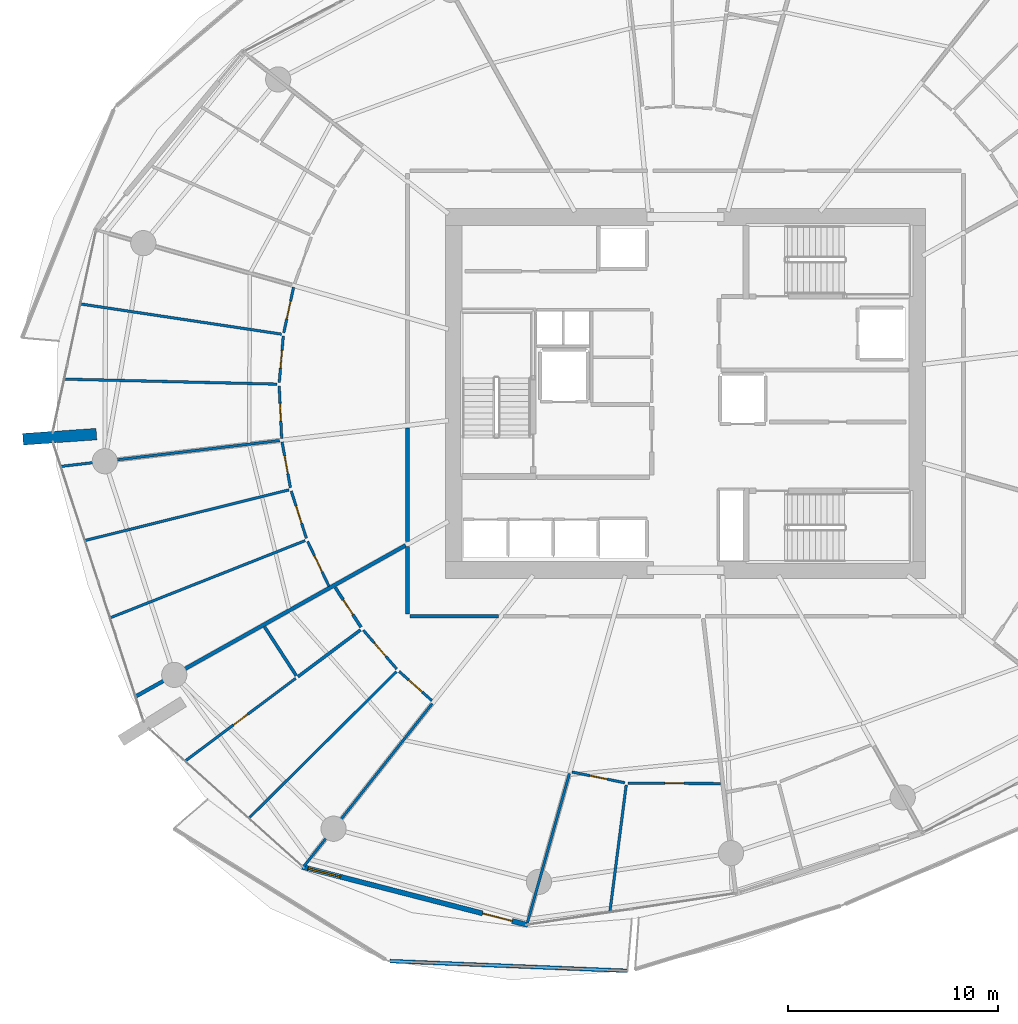
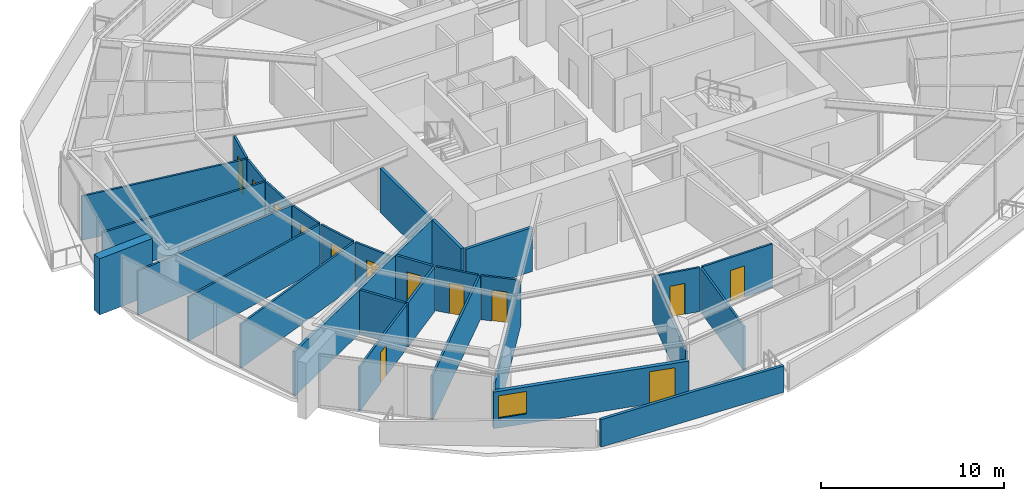
# One storey, part 11 of 23: 30 walls, 13 doors, 1 window, 14 openings.
"""IFC4 building model written with IfcOpenShell, lengths in metres."""

from ifc_helpers import new_model, si_unit, direction, frame, frame_2d, origin, place, context, subcontext, project, spatial, polyline, rectangle, outline, extrude, material, layer, layer_set, type_object, element, fill, save


model = new_model("IFC4")

# Units and contexts
model_context = context("Model", 3, precision=1e-05, world=origin(), true_north=direction((0.0, 1.0)))
body_context = subcontext(model_context, "Body", "Model", "MODEL_VIEW")
ifc_project = project(units=[si_unit("LENGTHUNIT", "METRE"), si_unit("AREAUNIT", "SQUARE_METRE"), si_unit("VOLUMEUNIT", "CUBIC_METRE"), si_unit("PLANEANGLEUNIT", "RADIAN"), si_unit("MASSUNIT", "GRAM", prefix="KILO")], contexts=[model_context])

# Site, building, storey
site_placement = place(None, origin())
site = spatial("IfcSite", under=ifc_project, at=site_placement, CompositionType="ELEMENT")
building_placement = place(site_placement, origin())
building = spatial("IfcBuilding", under=site, at=building_placement, Name="Kazma Halo Residences", CompositionType="ELEMENT")
storey_placement = place(building_placement, frame((0.0, 0.0, 82.64990234375)))
storey = spatial("IfcBuildingStorey", under=building, at=storey_placement, Name="L20", CompositionType="ELEMENT", Elevation=82.64990234375)

# Walls
ifc_material_1 = material(Name="White Concrete C50/60 Balustrade", Category="concrete")
ifc_layer_1 = layer(ifc_material_1, 0.179931640625)
ifc_layer_set_1 = layer_set([ifc_layer_1], Name="White Concrete C50/60 Balustrade")
wall_type_1 = type_object("IfcWallType", Name="WL-BAL-WAVE-180", PredefinedType="PARAPET", material=ifc_layer_set_1)
wall_1_placement = place(storey_placement, frame((34.362548828125, 14.994873046875, 0.0), z_axis=(0.0, 0.0, 1.0), x_axis=(0.999163903461, -0.040883909074, 0.0)))
element("IfcWall", 1, at=wall_1_placement, inside=storey, type_object=wall_type_1, Name="L20 white wave balustrade wall SW.2", PredefinedType="PARAPET", context=body_context, shape_type="SweptSolid", body=[
    extrude(outline(polyline([(0.0, 0.0), (11.316162109375, 0.0), (11.31640625, 1.756103515625), (5.658203125, 1.85302734375), (0.0, 1.83203125), (0.0, 0.0)])), frame((0.0, 0.08984375, 0.0), z_axis=(0.0, -1.0, 0.0), x_axis=(1.0, 0.0, 0.0)), (0.0, 0.0, 1.0), 0.179931640625),
])
ifc_material_2 = material(Name="Pale Concrete C60/75", Category="concrete")
ifc_layer_2 = layer(ifc_material_2, 0.550048828125)
ifc_layer_set_2 = layer_set([ifc_layer_2], Name="Pale Concrete C60/75")
wall_type_2 = type_object("IfcWallType", Name="WL-BLADE-550", PredefinedType="SOLIDWALL", material=ifc_layer_set_2)
wall_2_placement = place(storey_placement, frame((20.393798828125, 40.069580078125, 0.0), z_axis=(0.0, 0.0, 1.0), x_axis=(-0.997564163539, -0.069754853754, 0.0)))
element("IfcWall", 2, at=wall_2_placement, inside=storey, type_object=wall_type_2, Name="L20 pale concrete structural blade fin wall BW-02", PredefinedType="SOLIDWALL", context=body_context, shape_type="SweptSolid", body=[
    extrude(rectangle(XDim=3.5, YDim=0.550048828125, at=frame_2d((1.75, 0.0))), origin(), (0.0, 0.0, 1.0), 3.75),
])
ifc_material_3 = material(Name="Acoustic Twin-Stud Gypsum")
ifc_layer_3 = layer(ifc_material_3, 0.179931640625)
ifc_layer_set_3 = layer_set([ifc_layer_3], Name="Acoustic Twin-Stud Gypsum")
wall_type_3 = type_object("IfcWallType", Name="WL-DEM-180", PredefinedType="PARTITIONING", material=ifc_layer_set_3)
wall_3_placement = place(storey_placement, frame((35.10400390625, 34.778076171875, 0.0), z_axis=(0.0, 0.0, 1.0), x_axis=(-0.872490437896, -0.488631185845, 0.0)))
element("IfcWall", 3, at=wall_3_placement, inside=storey, type_object=wall_type_3, Name="L20 apartment demising radial wall 08", PredefinedType="PARTITIONING", context=body_context, shape_type="SweptSolid", body=[
    extrude(rectangle(XDim=14.698974609375, YDim=0.179931640625, at=frame_2d((7.349609375, 0.0))), origin(), (0.0, 0.0, 1.0), 2.940185546875),
])
wall_4_placement = place(storey_placement, frame((35.199951171875, 40.364990234375, 0.0), z_axis=(0.0, 0.0, 1.0), x_axis=(0.0, -1.0, 0.0)))
element("IfcWall", 4, at=wall_4_placement, inside=storey, type_object=wall_type_3, Name="L20 Apartment 1 inner wall 7", PredefinedType="PARTITIONING", context=body_context, shape_type="SweptSolid", body=[
    extrude(rectangle(XDim=5.413330078125, YDim=0.179931640625, at=frame_2d((2.70654296875, 0.0))), origin(), (0.0, 0.0, 1.0), 2.940185546875),
])
wall_5_placement = place(storey_placement, frame((35.199951171875, 34.711669921875, 0.0), z_axis=(0.0, 0.0, 1.0), x_axis=(0.0, -1.0, 0.0)))
element("IfcWall", 5, at=wall_5_placement, inside=storey, type_object=wall_type_3, Name="L20 Apartment 2 inner wall 8", PredefinedType="PARTITIONING", context=body_context, shape_type="SweptSolid", body=[
    extrude(rectangle(XDim=3.191650390625, YDim=0.179931640625, at=frame_2d((1.595703125, 0.0))), origin(), (0.0, 0.0, 1.0), 2.940185546875),
])
wall_6_placement = place(storey_placement, frame((35.320068359375, 31.39990234375, 0.0), z_axis=(0.0, 0.0, 1.0), x_axis=(1.0, 0.0, 0.0)))
element("IfcWall", 6, at=wall_6_placement, inside=storey, type_object=wall_type_3, Name="L20 Apartment 2 inner wall 8", PredefinedType="PARTITIONING", context=body_context, shape_type="SweptSolid", body=[
    extrude(rectangle(XDim=4.20361328125, YDim=0.179931640625, at=frame_2d((2.101806640625, 0.0))), origin(), (0.0, 0.0, 1.0), 2.940185546875),
])

# Wall, openings, door, window
ifc_material_4 = material(Name="Insulated Pale-Metal Composite Wall")
ifc_layer_4 = layer(ifc_material_4, 0.239990234375)
ifc_layer_set_4 = layer_set([ifc_layer_4], Name="Insulated Pale-Metal Composite Wall")
wall_type_4 = type_object("IfcWallType", Name="WL-EXT-HOST-240", PredefinedType="SOLIDWALL", material=ifc_layer_set_4)
wall_7_placement = place(storey_placement, frame((30.18603515625, 19.47705078125, 0.0), z_axis=(0.0, 0.0, 1.0), x_axis=(0.968356180858, -0.249572248045, 0.0)))
wall_7 = element("IfcWall", 7, at=wall_7_placement, inside=storey, type_object=wall_type_4, Name="L20 exterior terrace-access wall B10", PredefinedType="SOLIDWALL", context=body_context, shape_type="SweptSolid", body=[
    extrude(rectangle(XDim=11.08447265625, YDim=0.239990234375, at=frame_2d((5.542236328125, 0.0))), origin(), (0.0, 0.0, 1.0), 2.4501953125),
])
opening_1_placement = place(wall_7_placement, frame((8.864501953125, 0.0, 0.0)))
opening_1 = element("IfcOpeningElement", 8, at=opening_1_placement, cuts=wall_7, Name="Opening DTR-1600", PredefinedType="OPENING", context=body_context, shape_type="SweptSolid", body=[
    extrude(rectangle(XDim=1.449951171875, YDim=2.14990234375, at=frame_2d((0.72509765625, 1.074951171875))), frame((0.0, 0.1298828125, 0.0), z_axis=(0.0, -1.0, 0.0), x_axis=(1.0, 0.0, 0.0)), (0.0, 0.0, 1.0), 0.260009765625),
])
opening_2_placement = place(wall_7_placement, frame((0.280029296875, 0.0, 0.64990234375)))
opening_2 = element("IfcOpeningElement", 9, at=opening_2_placement, cuts=wall_7, Name="Opening W-1800", PredefinedType="OPENING", context=body_context, shape_type="SweptSolid", body=[
    extrude(rectangle(XDim=1.60009765625, YDim=1.5, at=frame_2d((0.800048828125, 0.75))), frame((0.0, 0.1298828125, 0.0), z_axis=(0.0, -1.0, 0.0), x_axis=(1.0, 0.0, 0.0)), (0.0, 0.0, 1.0), 0.260009765625),
])
ifc_material_5 = material(Name="Aluminium AW-6063 T6 Double-Glazed Terrace Door", Category="aluminium")
door_type_1 = type_object("IfcDoorType", Name="DR-EXT-TERR-1600", OperationType="NOTDEFINED", PredefinedType="DOOR", material=ifc_material_5)
door_1_placement = place(opening_1_placement, origin())
door_1 = element("IfcDoor", 10, at=door_1_placement, inside=storey, type_object=door_type_1, Name="L20 B10 balcony terrace door", OperationType="DOUBLE_DOOR_SLIDING", OverallHeight=2.14990234375, OverallWidth=1.449951171875, PredefinedType="DOOR", context=body_context, shape_type="SweptSolid", body=[
    extrude(rectangle(XDim=1.449951171875, YDim=2.14990234375, at=frame_2d((0.72509765625, 1.074951171875))), frame((0.0, 0.02490234375, 0.0), z_axis=(0.0, -1.0, 0.0), x_axis=(1.0, 0.0, 0.0)), (0.0, 0.0, 1.0), 0.050048828125),
])
fill(opening_1, door_1)
ifc_material_6 = material(Name="Clear Triple-Silver Low-E Glass in Aluminium AW-6063 T6 Frame", Category="aluminium")
window_type = type_object("IfcWindowType", Name="WIN-RES-1800", PartitioningType="DOUBLE_PANEL_VERTICAL", PredefinedType="WINDOW", material=ifc_material_6)
window_placement = place(opening_2_placement, origin())
window = element("IfcWindow", 11, at=window_placement, inside=storey, type_object=window_type, Name="L20 B10 apartment window", OverallHeight=1.5, OverallWidth=1.60009765625, PartitioningType="SINGLE_PANEL", PredefinedType="WINDOW", context=body_context, shape_type="SweptSolid", body=[
    extrude(rectangle(XDim=1.60009765625, YDim=1.5, at=frame_2d((0.800048828125, 0.75))), frame((0.0, 0.030029296875, 0.0), z_axis=(0.0, -1.0, 0.0), x_axis=(1.0, 0.0, 0.0)), (0.0, 0.0, 1.0), 0.06005859375),
])
fill(opening_2, window)

# Walls
ifc_material_7 = material(Name="Gypsum Plasterboard Partition")
ifc_layer_5 = layer(ifc_material_7, 0.125)
ifc_layer_set_5 = layer_set([ifc_layer_5], Name="Gypsum Plasterboard Partition")
wall_type_5 = type_object("IfcWallType", Name="WL-PART-125", PredefinedType="PARTITIONING", material=ifc_layer_set_5)
wall_8_placement = place(storey_placement, frame((29.202392578125, 44.826171875, 0.0), z_axis=(0.0, 0.0, 1.0), x_axis=(-0.988887169825, 0.14866797017, 0.0)))
element("IfcWall", 12, at=wall_8_placement, inside=storey, type_object=wall_type_5, Name="L20 Apartment 1 bay wall 1 6", PredefinedType="PARTITIONING", context=body_context, shape_type="SweptSolid", body=[
    extrude(rectangle(XDim=9.659423828125, YDim=0.125, at=frame_2d((4.82958984375, 0.0))), origin(), (0.0, 0.0, 1.0), 2.940185546875),
])
wall_9_placement = place(storey_placement, frame((28.996337890625, 42.44775390625, 0.0), z_axis=(0.0, 0.0, 1.0), x_axis=(-0.999721967936, 0.023579372877, 0.0)))
element("IfcWall", 13, at=wall_9_placement, inside=storey, type_object=wall_type_5, Name="L20 Apartment 1 bay wall 2 6", PredefinedType="PARTITIONING", context=body_context, shape_type="SweptSolid", body=[
    extrude(rectangle(XDim=10.115966796875, YDim=0.125, at=frame_2d((5.05810546875, 0.0))), origin(), (0.0, 0.0, 1.0), 2.940185546875),
])

# Wall, opening, door
wall_10_placement = place(storey_placement, frame((29.7744140625, 47.05712890625, 0.0), z_axis=(0.0, 0.0, 1.0), x_axis=(-0.210439442073, -0.977606895035, 0.0)))
wall_10 = element("IfcWall", 14, at=wall_10_placement, inside=storey, type_object=wall_type_5, Name="L20 Apartment 1 Primary Bedroom hall wall", PredefinedType="PARTITIONING", context=body_context, shape_type="SweptSolid", body=[
    extrude(rectangle(XDim=2.2158203125, YDim=0.125, at=frame_2d((1.10791015625, 0.0))), origin(), (0.0, 0.0, 1.0), 2.940185546875),
])
opening_3_placement = place(wall_10_placement, frame((0.68310546875, 0.0, 0.0)))
opening_3 = element("IfcOpeningElement", 15, at=opening_3_placement, cuts=wall_10, Name="Opening DB-900", PredefinedType="OPENING", context=body_context, shape_type="SweptSolid", body=[
    extrude(rectangle(XDim=0.85009765625, YDim=2.06005859375, at=frame_2d((0.425048828125, 1.030029296875))), frame((0.0, 0.072509765625, 0.0), z_axis=(0.0, -1.0, 0.0), x_axis=(1.0, 0.0, 0.0)), (0.0, 0.0, 1.0), 0.14501953125),
])
ifc_material_8 = material(Name="Moisture-Sealed Timber Leaf", Category="wood")
door_type_2 = type_object("IfcDoorType", Name="DR-BTH-900", OperationType="NOTDEFINED", PredefinedType="DOOR", material=ifc_material_8)
door_2_placement = place(opening_3_placement, origin())
door_2 = element("IfcDoor", 16, at=door_2_placement, inside=storey, type_object=door_type_2, Name="L20 Apartment 1 Primary Bedroom door", OperationType="SINGLE_SWING_RIGHT", OverallHeight=2.06005859375, OverallWidth=0.85009765625, PredefinedType="DOOR", context=body_context, shape_type="SweptSolid", body=[
    extrude(rectangle(XDim=0.85009765625, YDim=2.06005859375, at=frame_2d((0.425048828125, 1.030029296875))), frame((0.0, 0.02490234375, 0.0), z_axis=(0.0, -1.0, 0.0), x_axis=(1.0, 0.0, 0.0)), (0.0, 0.0, 1.0), 0.050048828125),
])
fill(opening_3, door_2)

wall_11_placement = place(storey_placement, frame((29.284423828125, 44.73291015625, 0.0), z_axis=(0.0, 0.0, 1.0), x_axis=(-0.086273015931, -0.996271532627, 0.0)))
wall_11 = element("IfcWall", 17, at=wall_11_placement, inside=storey, type_object=wall_type_5, Name="L20 Apartment 1 Secondary Study hall wall", PredefinedType="PARTITIONING", context=body_context, shape_type="SweptSolid", body=[
    extrude(rectangle(XDim=2.2158203125, YDim=0.125, at=frame_2d((1.10791015625, 0.0))), origin(), (0.0, 0.0, 1.0), 2.940185546875),
])
opening_4_placement = place(wall_11_placement, frame((0.682861328125, 0.0, 0.0)))
opening_4 = element("IfcOpeningElement", 18, at=opening_4_placement, cuts=wall_11, Name="Opening DB-900", PredefinedType="OPENING", context=body_context, shape_type="SweptSolid", body=[
    extrude(rectangle(XDim=0.85009765625, YDim=2.06005859375, at=frame_2d((0.425048828125, 1.030029296875))), frame((0.0, 0.072509765625, 0.0), z_axis=(0.0, -1.0, 0.0), x_axis=(1.0, 0.0, 0.0)), (0.0, 0.0, 1.0), 0.14501953125),
])
door_3_placement = place(opening_4_placement, origin())
door_3 = element("IfcDoor", 19, at=door_3_placement, inside=storey, type_object=door_type_2, Name="L20 Apartment 1 Secondary Study door", OperationType="SINGLE_SWING_LEFT", OverallHeight=2.06005859375, OverallWidth=0.85009765625, PredefinedType="DOOR", context=body_context, shape_type="SweptSolid", body=[
    extrude(rectangle(XDim=0.85009765625, YDim=2.06005859375, at=frame_2d((0.425048828125, 1.030029296875))), frame((0.0, 0.02490234375, 0.0), z_axis=(0.0, -1.0, 0.0), x_axis=(1.0, 0.0, 0.0)), (0.0, 0.0, 1.0), 0.050048828125),
])
fill(opening_4, door_3)

wall_12_placement = place(storey_placement, frame((29.090087890625, 42.36572265625, 0.0), z_axis=(0.0, 0.0, 1.0), x_axis=(0.047034181122, -0.998893280489, 0.0)))
wall_12 = element("IfcWall", 20, at=wall_12_placement, inside=storey, type_object=wall_type_5, Name="L20 Apartment 1 East Bedroom hall wall", PredefinedType="PARTITIONING", context=body_context, shape_type="SweptSolid", body=[
    extrude(rectangle(XDim=2.51220703125, YDim=0.125, at=frame_2d((1.256103515625, 0.0))), origin(), (0.0, 0.0, 1.0), 2.940185546875),
])
opening_5_placement = place(wall_12_placement, frame((0.831298828125, 0.0, 0.0)))
opening_5 = element("IfcOpeningElement", 21, at=opening_5_placement, cuts=wall_12, Name="Opening DB-900", PredefinedType="OPENING", context=body_context, shape_type="SweptSolid", body=[
    extrude(rectangle(XDim=0.85009765625, YDim=2.06005859375, at=frame_2d((0.425048828125, 1.030029296875))), frame((0.0, 0.072509765625, 0.0), z_axis=(0.0, -1.0, 0.0), x_axis=(1.0, 0.0, 0.0)), (0.0, 0.0, 1.0), 0.14501953125),
])
door_4_placement = place(opening_5_placement, origin())
door_4 = element("IfcDoor", 22, at=door_4_placement, inside=storey, type_object=door_type_2, Name="L20 Apartment 1 East Bedroom door", OperationType="SINGLE_SWING_RIGHT", OverallHeight=2.06005859375, OverallWidth=0.85009765625, PredefinedType="DOOR", context=body_context, shape_type="SweptSolid", body=[
    extrude(rectangle(XDim=0.85009765625, YDim=2.06005859375, at=frame_2d((0.425048828125, 1.030029296875))), frame((0.0, 0.02490234375, 0.0), z_axis=(0.0, -1.0, 0.0), x_axis=(1.0, 0.0, 0.0)), (0.0, 0.0, 1.0), 0.050048828125),
])
fill(opening_5, door_4)

# Walls
wall_13_placement = place(storey_placement, frame((29.11279296875, 39.764404296875, 0.0), z_axis=(0.0, 0.0, 1.0), x_axis=(-0.993070875002, -0.117516965677, 0.0)))
element("IfcWall", 23, at=wall_13_placement, inside=storey, type_object=wall_type_5, Name="L20 Apartment 1 radial partition 7", PredefinedType="PARTITIONING", context=body_context, shape_type="SweptSolid", body=[
    extrude(rectangle(XDim=10.460205078125, YDim=0.125, at=frame_2d((5.22998046875, 0.0))), origin(), (0.0, 0.0, 1.0), 2.940185546875),
])
wall_14_placement = place(storey_placement, frame((29.5517578125, 37.41748046875, 0.0), z_axis=(0.0, 0.0, 1.0), x_axis=(-0.970504192203, -0.241084244437, 0.0)))
element("IfcWall", 24, at=wall_14_placement, inside=storey, type_object=wall_type_5, Name="L20 Apartment 1 bay wall 1 7", PredefinedType="PARTITIONING", context=body_context, shape_type="SweptSolid", body=[
    extrude(rectangle(XDim=9.975830078125, YDim=0.125, at=frame_2d((4.98779296875, 0.0))), origin(), (0.0, 0.0, 1.0), 2.940185546875),
])
wall_15_placement = place(storey_placement, frame((30.325927734375, 35.00244140625, 0.0), z_axis=(0.0, 0.0, 1.0), x_axis=(-0.929777602375, -0.368121732748, 0.0)))
element("IfcWall", 25, at=wall_15_placement, inside=storey, type_object=wall_type_5, Name="L20 Apartment 1 bay wall 2 7", PredefinedType="PARTITIONING", context=body_context, shape_type="SweptSolid", body=[
    extrude(rectangle(XDim=9.960693359375, YDim=0.125, at=frame_2d((4.98046875, 0.0))), origin(), (0.0, 0.0, 1.0), 2.940185546875),
])

# Wall, opening, door
wall_16_placement = place(storey_placement, frame((29.2265625, 39.697509765625, 0.0), z_axis=(0.0, 0.0, 1.0), x_axis=(0.179602920825, -0.983739188419, 0.0)))
wall_16 = element("IfcWall", 26, at=wall_16_placement, inside=storey, type_object=wall_type_5, Name="L20 Apartment 1 West Bedroom hall wall", PredefinedType="PARTITIONING", context=body_context, shape_type="SweptSolid", body=[
    extrude(rectangle(XDim=2.2158203125, YDim=0.125, at=frame_2d((1.10791015625, 0.0))), origin(), (0.0, 0.0, 1.0), 2.940185546875),
])
opening_6_placement = place(wall_16_placement, frame((0.682861328125, 0.0, 0.0)))
opening_6 = element("IfcOpeningElement", 27, at=opening_6_placement, cuts=wall_16, Name="Opening DB-900", PredefinedType="OPENING", context=body_context, shape_type="SweptSolid", body=[
    extrude(rectangle(XDim=0.85009765625, YDim=2.06005859375, at=frame_2d((0.425048828125, 1.030029296875))), frame((0.0, 0.072509765625, 0.0), z_axis=(0.0, -1.0, 0.0), x_axis=(1.0, 0.0, 0.0)), (0.0, 0.0, 1.0), 0.14501953125),
])
door_5_placement = place(opening_6_placement, origin())
door_5 = element("IfcDoor", 28, at=door_5_placement, inside=storey, type_object=door_type_2, Name="L20 Apartment 1 West Bedroom door", OperationType="SINGLE_SWING_LEFT", OverallHeight=2.06005859375, OverallWidth=0.85009765625, PredefinedType="DOOR", context=body_context, shape_type="SweptSolid", body=[
    extrude(rectangle(XDim=0.85009765625, YDim=2.06005859375, at=frame_2d((0.425048828125, 1.030029296875))), frame((0.0, 0.02490234375, 0.0), z_axis=(0.0, -1.0, 0.0), x_axis=(1.0, 0.0, 0.0)), (0.0, 0.0, 1.0), 0.050048828125),
])
fill(opening_6, door_5)

wall_17_placement = place(storey_placement, frame((29.663330078125, 37.36279296875, 0.0), z_axis=(0.0, 0.0, 1.0), x_axis=(0.305393983716, -0.952226083822, 0.0)))
wall_17 = element("IfcWall", 29, at=wall_17_placement, inside=storey, type_object=wall_type_5, Name="L20 Apartment 1 North Study hall wall", PredefinedType="PARTITIONING", context=body_context, shape_type="SweptSolid", body=[
    extrude(rectangle(XDim=2.364013671875, YDim=0.125, at=frame_2d((1.18212890625, 0.0))), origin(), (0.0, 0.0, 1.0), 2.940185546875),
])
opening_7_placement = place(wall_17_placement, frame((0.757080078125, 0.0, 0.0)))
opening_7 = element("IfcOpeningElement", 30, at=opening_7_placement, cuts=wall_17, Name="Opening DB-900", PredefinedType="OPENING", context=body_context, shape_type="SweptSolid", body=[
    extrude(rectangle(XDim=0.85009765625, YDim=2.06005859375, at=frame_2d((0.425048828125, 1.030029296875))), frame((0.0, 0.072509765625, 0.0), z_axis=(0.0, -1.0, 0.0), x_axis=(1.0, 0.0, 0.0)), (0.0, 0.0, 1.0), 0.14501953125),
])
door_6_placement = place(opening_7_placement, origin())
door_6 = element("IfcDoor", 31, at=door_6_placement, inside=storey, type_object=door_type_2, Name="L20 Apartment 1 North Study door", OperationType="SINGLE_SWING_RIGHT", OverallHeight=2.06005859375, OverallWidth=0.85009765625, PredefinedType="DOOR", context=body_context, shape_type="SweptSolid", body=[
    extrude(rectangle(XDim=0.85009765625, YDim=2.06005859375, at=frame_2d((0.425048828125, 1.030029296875))), frame((0.0, 0.02490234375, 0.0), z_axis=(0.0, -1.0, 0.0), x_axis=(1.0, 0.0, 0.0)), (0.0, 0.0, 1.0), 0.050048828125),
])
fill(opening_7, door_6)

wall_18_placement = place(storey_placement, frame((30.44384765625, 34.963134765625, 0.0), z_axis=(0.0, 0.0, 1.0), x_axis=(0.429404357622, -0.903112339443, 0.0)))
wall_18 = element("IfcWall", 32, at=wall_18_placement, inside=storey, type_object=wall_type_5, Name="L20 Apartment 1 South Bedroom hall wall", PredefinedType="PARTITIONING", context=body_context, shape_type="SweptSolid", body=[
    extrude(rectangle(XDim=2.364013671875, YDim=0.125, at=frame_2d((1.18212890625, 0.0))), origin(), (0.0, 0.0, 1.0), 2.940185546875),
])
opening_8_placement = place(wall_18_placement, frame((0.757080078125, 0.0, 0.0)))
opening_8 = element("IfcOpeningElement", 33, at=opening_8_placement, cuts=wall_18, Name="Opening DB-900", PredefinedType="OPENING", context=body_context, shape_type="SweptSolid", body=[
    extrude(rectangle(XDim=0.85009765625, YDim=2.06005859375, at=frame_2d((0.425048828125, 1.030029296875))), frame((0.0, 0.072509765625, 0.0), z_axis=(0.0, -1.0, 0.0), x_axis=(1.0, 0.0, 0.0)), (0.0, 0.0, 1.0), 0.14501953125),
])
door_7_placement = place(opening_8_placement, origin())
door_7 = element("IfcDoor", 34, at=door_7_placement, inside=storey, type_object=door_type_2, Name="L20 Apartment 1 South Bedroom door", OperationType="SINGLE_SWING_LEFT", OverallHeight=2.06005859375, OverallWidth=0.85009765625, PredefinedType="DOOR", context=body_context, shape_type="SweptSolid", body=[
    extrude(rectangle(XDim=0.85009765625, YDim=2.06005859375, at=frame_2d((0.425048828125, 1.030029296875))), frame((0.0, 0.02490234375, 0.0), z_axis=(0.0, -1.0, 0.0), x_axis=(1.0, 0.0, 0.0)), (0.0, 0.0, 1.0), 0.050048828125),
])
fill(opening_8, door_7)

# Wall
wall_19_placement = place(storey_placement, frame((36.367919921875, 27.24462890625, 0.0), z_axis=(0.0, 0.0, 1.0), x_axis=(-0.619096231027, -0.785315132115, 0.0)))
element("IfcWall", 35, at=wall_19_placement, inside=storey, type_object=wall_type_5, Name="L20 Apartment 2 living radial partition 8", PredefinedType="PARTITIONING", context=body_context, shape_type="SweptSolid", body=[
    extrude(rectangle(XDim=9.882080078125, YDim=0.125, at=frame_2d((4.94091796875, 0.0))), origin(), (0.0, 0.0, 1.0), 2.940185546875),
])

# Wall, opening, door
wall_20_placement = place(storey_placement, frame((29.877197265625, 28.448486328125, 0.0), z_axis=(0.0, 0.0, 1.0), x_axis=(-0.800862229892, -0.598848635911, 0.0)))
wall_20 = element("IfcWall", 36, at=wall_20_placement, inside=storey, type_object=wall_type_5, Name="L20 Apartment 2 Utility Laundry Room partition wall", PredefinedType="PARTITIONING", context=body_context, shape_type="SweptSolid", body=[
    extrude(rectangle(XDim=6.551513671875, YDim=0.125, at=frame_2d((3.27587890625, 0.0))), origin(), (0.0, 0.0, 1.0), 2.940185546875),
])
opening_9_placement = place(wall_20_placement, frame((2.850830078125, 0.0, 0.0)))
opening_9 = element("IfcOpeningElement", 37, at=opening_9_placement, cuts=wall_20, Name="Opening DB-900", PredefinedType="OPENING", context=body_context, shape_type="SweptSolid", body=[
    extrude(rectangle(XDim=0.85009765625, YDim=2.06005859375, at=frame_2d((0.425048828125, 1.030029296875))), frame((0.0, 0.072509765625, 0.0), z_axis=(0.0, -1.0, 0.0), x_axis=(1.0, 0.0, 0.0)), (0.0, 0.0, 1.0), 0.14501953125),
])
door_8_placement = place(opening_9_placement, origin())
door_8 = element("IfcDoor", 38, at=door_8_placement, inside=storey, type_object=door_type_2, Name="L20 Apartment 2 Utility Laundry Room door", OperationType="SINGLE_SWING_RIGHT", OverallHeight=2.06005859375, OverallWidth=0.85009765625, PredefinedType="DOOR", context=body_context, shape_type="SweptSolid", body=[
    extrude(rectangle(XDim=0.85009765625, YDim=2.06005859375, at=frame_2d((0.425048828125, 1.030029296875))), frame((0.0, 0.02490234375, 0.0), z_axis=(0.0, -1.0, 0.0), x_axis=(1.0, 0.0, 0.0)), (0.0, 0.0, 1.0), 0.050048828125),
])
fill(opening_9, door_8)

# Wall
wall_21_placement = place(storey_placement, frame((34.673095703125, 28.769287109375, 0.0), z_axis=(0.0, 0.0, 1.0), x_axis=(-0.709671596246, -0.70453262911, 0.0)))
element("IfcWall", 39, at=wall_21_placement, inside=storey, type_object=wall_type_5, Name="L20 Apartment 2 suite divider 8", PredefinedType="PARTITIONING", context=body_context, shape_type="SweptSolid", body=[
    extrude(rectangle(XDim=9.881591796875, YDim=0.125, at=frame_2d((4.94091796875, 0.0))), origin(), (0.0, 0.0, 1.0), 2.940185546875),
])

# Wall, opening, door
wall_22_placement = place(storey_placement, frame((33.091552734375, 30.739990234375, 0.0), z_axis=(0.0, 0.0, 1.0), x_axis=(0.653244508484, -0.757147021479, 0.0)))
wall_22 = element("IfcWall", 40, at=wall_22_placement, inside=storey, type_object=wall_type_5, Name="L20 Apartment 2 Gourmet Kitchen hall wall", PredefinedType="PARTITIONING", context=body_context, shape_type="SweptSolid", body=[
    extrude(rectangle(XDim=2.43896484375, YDim=0.125, at=frame_2d((1.219482421875, 0.0))), origin(), (0.0, 0.0, 1.0), 2.940185546875),
])
opening_10_placement = place(wall_22_placement, frame((0.79443359375, 0.0, 0.0)))
opening_10 = element("IfcOpeningElement", 41, at=opening_10_placement, cuts=wall_22, Name="Opening DB-900", PredefinedType="OPENING", context=body_context, shape_type="SweptSolid", body=[
    extrude(rectangle(XDim=0.85009765625, YDim=2.06005859375, at=frame_2d((0.425048828125, 1.030029296875))), frame((0.0, 0.072509765625, 0.0), z_axis=(0.0, -1.0, 0.0), x_axis=(1.0, 0.0, 0.0)), (0.0, 0.0, 1.0), 0.14501953125),
])
door_9_placement = place(opening_10_placement, origin())
door_9 = element("IfcDoor", 42, at=door_9_placement, inside=storey, type_object=door_type_2, Name="L20 Apartment 2 Gourmet Kitchen door", OperationType="SINGLE_SWING_LEFT", OverallHeight=2.06005859375, OverallWidth=0.85009765625, PredefinedType="DOOR", context=body_context, shape_type="SweptSolid", body=[
    extrude(rectangle(XDim=0.85009765625, YDim=2.06005859375, at=frame_2d((0.425048828125, 1.030029296875))), frame((0.0, 0.02490234375, 0.0), z_axis=(0.0, -1.0, 0.0), x_axis=(1.0, 0.0, 0.0)), (0.0, 0.0, 1.0), 0.050048828125),
])
fill(opening_10, door_9)

wall_23_placement = place(storey_placement, frame((34.796875, 28.779541015625, 0.0), z_axis=(0.0, 0.0, 1.0), x_axis=(0.74635037564, -0.665553241132, 0.0)))
wall_23 = element("IfcWall", 43, at=wall_23_placement, inside=storey, type_object=wall_type_5, Name="L20 Apartment 2 Primary Bedroom hall wall", PredefinedType="PARTITIONING", context=body_context, shape_type="SweptSolid", body=[
    extrude(rectangle(XDim=2.087890625, YDim=0.125, at=frame_2d((1.0439453125, 0.0))), origin(), (0.0, 0.0, 1.0), 2.940185546875),
])
opening_11_placement = place(wall_23_placement, frame((0.618896484375, 0.0, 0.0)))
opening_11 = element("IfcOpeningElement", 44, at=opening_11_placement, cuts=wall_23, Name="Opening DB-900", PredefinedType="OPENING", context=body_context, shape_type="SweptSolid", body=[
    extrude(rectangle(XDim=0.85009765625, YDim=2.06005859375, at=frame_2d((0.425048828125, 1.030029296875))), frame((0.0, 0.072509765625, 0.0), z_axis=(0.0, -1.0, 0.0), x_axis=(1.0, 0.0, 0.0)), (0.0, 0.0, 1.0), 0.14501953125),
])
door_10_placement = place(opening_11_placement, origin())
door_10 = element("IfcDoor", 45, at=door_10_placement, inside=storey, type_object=door_type_2, Name="L20 Apartment 2 Primary Bedroom door", OperationType="SINGLE_SWING_RIGHT", OverallHeight=2.06005859375, OverallWidth=0.85009765625, PredefinedType="DOOR", context=body_context, shape_type="SweptSolid", body=[
    extrude(rectangle(XDim=0.85009765625, YDim=2.06005859375, at=frame_2d((0.425048828125, 1.030029296875))), frame((0.0, 0.02490234375, 0.0), z_axis=(0.0, -1.0, 0.0), x_axis=(1.0, 0.0, 0.0)), (0.0, 0.0, 1.0), 0.050048828125),
])
fill(opening_11, door_10)

# Walls
wall_24_placement = place(storey_placement, frame((42.89990234375, 23.91650390625, 0.0), z_axis=(0.0, 0.0, 1.0), x_axis=(-0.27145069635, -0.962452346587, 0.0)))
element("IfcWall", 46, at=wall_24_placement, inside=storey, type_object=wall_type_5, Name="L20 Apartment 2 radial partition 10", PredefinedType="PARTITIONING", context=body_context, shape_type="SweptSolid", body=[
    extrude(rectangle(XDim=7.348876953125, YDim=0.125, at=frame_2d((3.67431640625, 0.0))), origin(), (0.0, 0.0, 1.0), 2.940185546875),
])
wall_25_placement = place(storey_placement, frame((45.6025390625, 23.37451171875, 0.0), z_axis=(0.0, 0.0, 1.0), x_axis=(-0.127689849516, -0.991814147071, 0.0)))
element("IfcWall", 47, at=wall_25_placement, inside=storey, type_object=wall_type_5, Name="L20 Apartment 2 mid-bay wall 10", PredefinedType="PARTITIONING", context=body_context, shape_type="SweptSolid", body=[
    extrude(rectangle(XDim=6.08203125, YDim=0.125, at=frame_2d((3.041015625, 0.0))), origin(), (0.0, 0.0, 1.0), 2.940185546875),
])

# Wall, opening, door
wall_26_placement = place(storey_placement, frame((43.02490234375, 23.99267578125, 0.0), z_axis=(0.0, 0.0, 1.0), x_axis=(0.97978119615, -0.200072006215, 0.0)))
wall_26 = element("IfcWall", 48, at=wall_26_placement, inside=storey, type_object=wall_type_5, Name="L20 Apartment 2 East Bedroom hall wall", PredefinedType="PARTITIONING", context=body_context, shape_type="SweptSolid", body=[
    extrude(rectangle(XDim=2.5625, YDim=0.125, at=frame_2d((1.28125, 0.0))), origin(), (0.0, 0.0, 1.0), 2.940185546875),
])
opening_12_placement = place(wall_26_placement, frame((0.856201171875, 0.0, 0.0)))
opening_12 = element("IfcOpeningElement", 49, at=opening_12_placement, cuts=wall_26, Name="Opening DB-900", PredefinedType="OPENING", context=body_context, shape_type="SweptSolid", body=[
    extrude(rectangle(XDim=0.85009765625, YDim=2.06005859375, at=frame_2d((0.425048828125, 1.030029296875))), frame((0.0, 0.072509765625, 0.0), z_axis=(0.0, -1.0, 0.0), x_axis=(1.0, 0.0, 0.0)), (0.0, 0.0, 1.0), 0.14501953125),
])
door_11_placement = place(opening_12_placement, origin())
door_11 = element("IfcDoor", 50, at=door_11_placement, inside=storey, type_object=door_type_2, Name="L20 Apartment 2 East Bedroom door", OperationType="SINGLE_SWING_LEFT", OverallHeight=2.06005859375, OverallWidth=0.85009765625, PredefinedType="DOOR", context=body_context, shape_type="SweptSolid", body=[
    extrude(rectangle(XDim=0.85009765625, YDim=2.06005859375, at=frame_2d((0.425048828125, 1.030029296875))), frame((0.0, 0.02490234375, 0.0), z_axis=(0.0, -1.0, 0.0), x_axis=(1.0, 0.0, 0.0)), (0.0, 0.0, 1.0), 0.050048828125),
])
fill(opening_12, door_11)

wall_27_placement = place(storey_placement, frame((45.694091796875, 23.46337890625, 0.0), z_axis=(0.0, 0.0, 1.0), x_axis=(0.999986986287, -0.005101691496, 0.0)))
wall_27 = element("IfcWall", 51, at=wall_27_placement, inside=storey, type_object=wall_type_5, Name="L20 Apartment 2 West Bedroom hall wall", PredefinedType="PARTITIONING", context=body_context, shape_type="SweptSolid", body=[
    extrude(rectangle(XDim=4.402587890625, YDim=0.125, at=frame_2d((2.201171875, 0.0))), origin(), (0.0, 0.0, 1.0), 2.940185546875),
])
opening_13_placement = place(wall_27_placement, frame((1.75146484375, 0.0, 0.0)))
opening_13 = element("IfcOpeningElement", 52, at=opening_13_placement, cuts=wall_27, Name="Opening DI-950", PredefinedType="OPENING", context=body_context, shape_type="SweptSolid", body=[
    extrude(rectangle(XDim=0.89990234375, YDim=2.080078125, at=frame_2d((0.449951171875, 1.0400390625))), frame((0.0, 0.072509765625, 0.0), z_axis=(0.0, -1.0, 0.0), x_axis=(1.0, 0.0, 0.0)), (0.0, 0.0, 1.0), 0.14501953125),
])
ifc_material_9 = material(Name="Timber Veneer Flush Leaf", Category="wood")
door_type_3 = type_object("IfcDoorType", Name="DR-INT-950", OperationType="NOTDEFINED", PredefinedType="DOOR", material=ifc_material_9)
door_12_placement = place(opening_13_placement, origin())
door_12 = element("IfcDoor", 53, at=door_12_placement, inside=storey, type_object=door_type_3, Name="L20 Apartment 2 West Bedroom door", OperationType="SINGLE_SWING_RIGHT", OverallHeight=2.080078125, OverallWidth=0.89990234375, PredefinedType="DOOR", context=body_context, shape_type="SweptSolid", body=[
    extrude(rectangle(XDim=0.89990234375, YDim=2.080078125, at=frame_2d((0.449951171875, 1.0400390625))), frame((0.0, 0.02490234375, 0.0), z_axis=(0.0, -1.0, 0.0), x_axis=(1.0, 0.0, 0.0)), (0.0, 0.0, 1.0), 0.050048828125),
])
fill(opening_13, door_12)

ifc_material_10 = material(Name="Moisture-Resistant Gypsum")
ifc_layer_6 = layer(ifc_material_10, 0.14990234375)
ifc_layer_set_6 = layer_set([ifc_layer_6], Name="Moisture-Resistant Gypsum")
wall_type_6 = type_object("IfcWallType", Name="WL-WET-150", PredefinedType="PARTITIONING", material=ifc_layer_set_6)
wall_28_placement = place(storey_placement, frame((31.748291015625, 32.784423828125, 0.0), z_axis=(0.0, 0.0, 1.0), x_axis=(0.544920213423, -0.838487901524, 0.0)))
wall_28 = element("IfcWall", 54, at=wall_28_placement, inside=storey, type_object=wall_type_6, Name="L20 Apartment 2 Guest Bathroom hall wall", PredefinedType="PARTITIONING", context=body_context, shape_type="SweptSolid", body=[
    extrude(rectangle(XDim=2.26708984375, YDim=0.14990234375, at=frame_2d((1.133544921875, 0.0))), origin(), (0.0, 0.0, 1.0), 2.940185546875),
])
opening_14_placement = place(wall_28_placement, frame((0.70849609375, 0.0, 0.0)))
opening_14 = element("IfcOpeningElement", 55, at=opening_14_placement, cuts=wall_28, Name="Opening DB-900", PredefinedType="OPENING", context=body_context, shape_type="SweptSolid", body=[
    extrude(rectangle(XDim=0.85009765625, YDim=2.06005859375, at=frame_2d((0.425048828125, 1.030029296875))), frame((0.0, 0.0849609375, 0.0), z_axis=(0.0, -1.0, 0.0), x_axis=(1.0, 0.0, 0.0)), (0.0, 0.0, 1.0), 0.169921875),
])
door_13_placement = place(opening_14_placement, origin())
door_13 = element("IfcDoor", 56, at=door_13_placement, inside=storey, type_object=door_type_2, Name="L20 Apartment 2 Guest Bathroom door", OperationType="SINGLE_SWING_LEFT", OverallHeight=2.06005859375, OverallWidth=0.85009765625, PredefinedType="DOOR", context=body_context, shape_type="SweptSolid", body=[
    extrude(rectangle(XDim=0.85009765625, YDim=2.06005859375, at=frame_2d((0.425048828125, 1.030029296875))), frame((0.0, 0.02490234375, 0.0), z_axis=(0.0, -1.0, 0.0), x_axis=(1.0, 0.0, 0.0)), (0.0, 0.0, 1.0), 0.050048828125),
])
fill(opening_14, door_13)

# Walls
wall_29_placement = place(storey_placement, frame((28.389404296875, 30.9033203125, 0.0), z_axis=(0.0, 0.0, 1.0), x_axis=(0.544849096032, -0.838534115318, 0.0)))
element("IfcWall", 57, at=wall_29_placement, inside=storey, type_object=wall_type_6, Name="L20 Apartment 2 Guest Bathroom back wall", PredefinedType="PARTITIONING", context=body_context, shape_type="SweptSolid", body=[
    extrude(rectangle(XDim=2.773193359375, YDim=0.14990234375, at=frame_2d((1.38671875, 0.0))), origin(), (0.0, 0.0, 1.0), 2.940185546875),
])
wall_30_placement = place(storey_placement, frame((32.960693359375, 30.754150390625, 0.0), z_axis=(0.0, 0.0, 1.0), x_axis=(-0.800889069655, -0.598812740435, 0.0)))
element("IfcWall", 58, at=wall_30_placement, inside=storey, type_object=wall_type_6, Name="L20 Apartment 2 Guest Bathroom side wall", PredefinedType="PARTITIONING", context=body_context, shape_type="SweptSolid", body=[
    extrude(rectangle(XDim=3.719970703125, YDim=0.14990234375, at=frame_2d((1.85986328125, 0.0))), origin(), (0.0, 0.0, 1.0), 2.940185546875),
])

save(model, "model.ifc")
